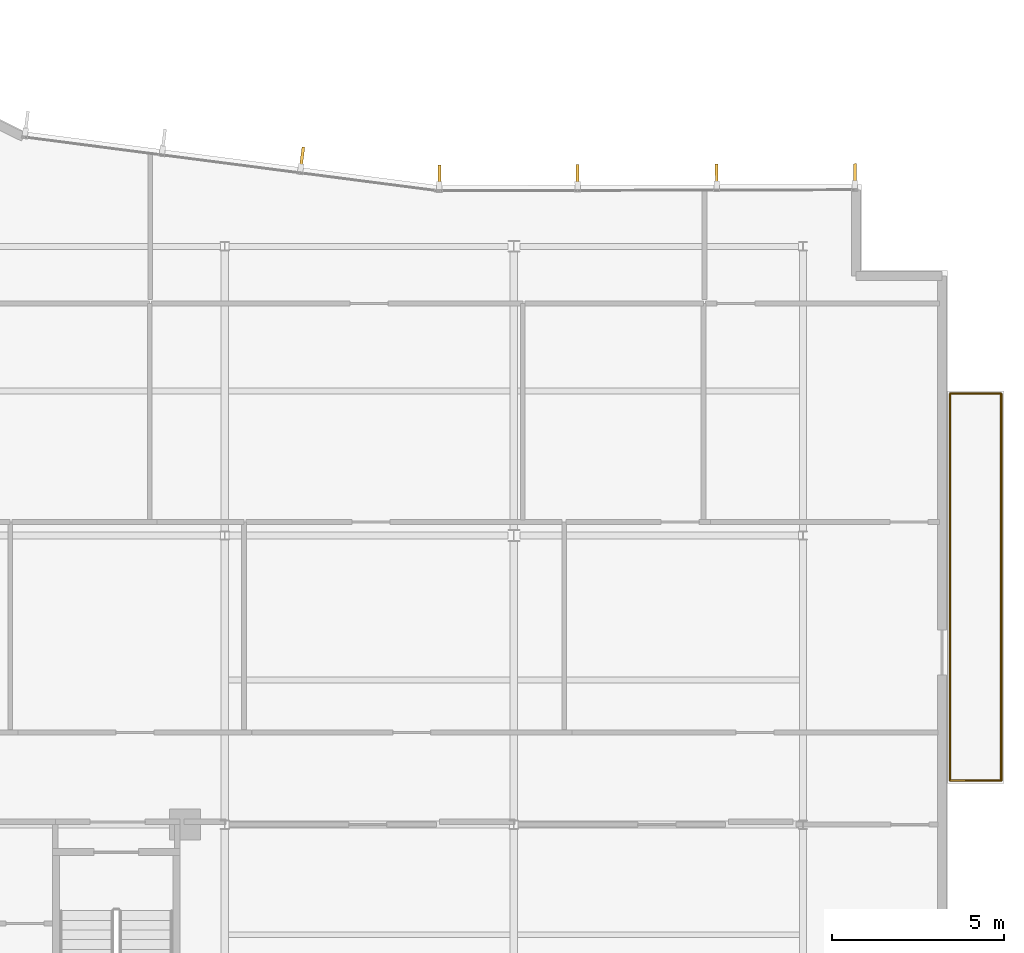
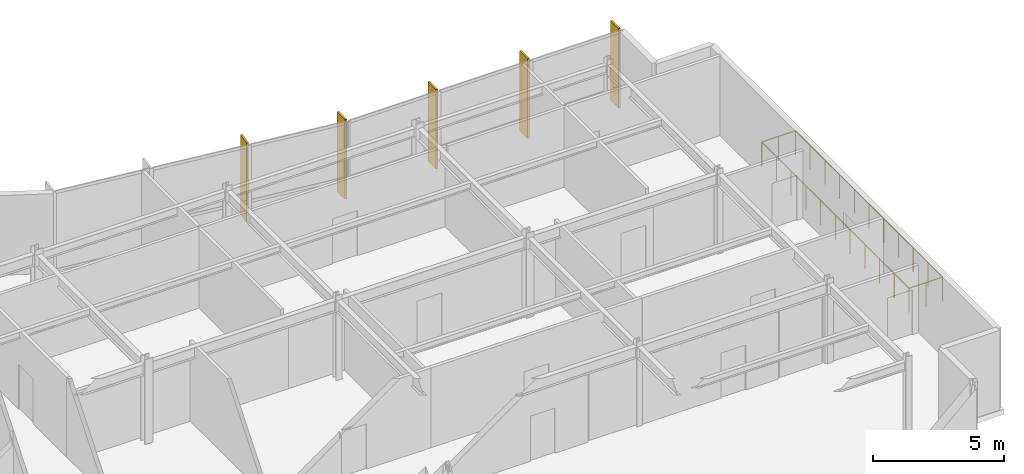
# One storey, part 14 of 15: 5 shading devices, 4 railings.
"""IFC4 building model written with IfcOpenShell, lengths in metres."""

from ifc_helpers import new_model, si_unit, direction, frame, origin, origin_2d, place, context, subcontext, project, spatial, rectangle, circle, extrude, material, layer, layer_set, type_object, element, save


model = new_model("IFC4")

# Units and contexts
model_context = context("Model", 3, precision=1e-05, world=origin(), true_north=direction((0.0, 1.0)))
body_context = subcontext(model_context, "Body", "Model", "MODEL_VIEW")
ifc_project = project(units=[si_unit("LENGTHUNIT", "METRE"), si_unit("AREAUNIT", "SQUARE_METRE"), si_unit("VOLUMEUNIT", "CUBIC_METRE"), si_unit("PLANEANGLEUNIT", "RADIAN"), si_unit("MASSUNIT", "GRAM", prefix="KILO")], contexts=[model_context])

# Site, building, storey
site_placement = place(None, origin())
site = spatial("IfcSite", under=ifc_project, at=site_placement, CompositionType="ELEMENT")
building_placement = place(site_placement, origin())
building = spatial("IfcBuilding", under=site, at=building_placement, Name="Varnakote Quay Hospital", CompositionType="ELEMENT")
storey_placement = place(building_placement, frame((0.0, 0.0, 244.699951171875)))
storey = spatial("IfcBuildingStorey", under=building, at=storey_placement, Name="L60", CompositionType="ELEMENT", Elevation=244.699951171875)

# Railings
ifc_material_1 = material(Name="Anodised aluminium 6063-T6 Bronze", Category="aluminium")
railing_type = type_object("IfcRailingType", Name="RLG-EXT-GUARD-1150", PredefinedType="GUARDRAIL", material=ifc_material_1)
railing_1_placement = place(storey_placement, frame((46.27587890625, 24.52001953125, 0.0)))
element("IfcRailing", 1, at=railing_1_placement, inside=storey, type_object=railing_type, Name="L60 Zigzag Prow Healing Terrace Safety Guard", PredefinedType="GUARDRAIL", context=body_context, shape_type="SweptSolid", body=[
    extrude(circle(Radius=0.02392578125, at=origin_2d()), frame((0.0, 0.0, 1.1259765625), z_axis=(1.0, 0.0, 0.0), x_axis=(0.0, 1.0, 0.0)), (0.0, 0.0, 1.0), 1.484130859375),
    extrude(circle(Radius=0.02099609375, at=origin_2d()), origin(), (0.0, 0.0, 1.0), 1.101806640625),
    extrude(circle(Radius=0.02099609375, at=origin_2d()), frame((0.7421875, 0.0, 0.0)), (0.0, 0.0, 1.0), 1.101806640625),
    extrude(circle(Radius=0.02099609375, at=origin_2d()), frame((1.484130859375, 0.0, 0.0)), (0.0, 0.0, 1.0), 1.101806640625),
])
railing_2_placement = place(storey_placement, frame((47.760009765625, 24.52001953125, 0.0)))
element("IfcRailing", 2, at=railing_2_placement, inside=storey, type_object=railing_type, Name="L60 Zigzag Prow Healing Terrace Safety Guard", PredefinedType="GUARDRAIL", context=body_context, shape_type="SweptSolid", body=[
    extrude(circle(Radius=0.02392578125, at=origin_2d()), frame((0.0, 0.0, 1.1259765625), z_axis=(0.0, -1.0, 0.0), x_axis=(1.0, 0.0, 0.0)), (0.0, 0.0, 1.0), 11.239990234375),
    extrude(circle(Radius=0.02099609375, at=origin_2d()), origin(), (0.0, 0.0, 1.0), 1.101806640625),
    extrude(circle(Radius=0.02099609375, at=origin_2d()), frame((0.0, -1.1240234375, 0.0)), (0.0, 0.0, 1.0), 1.101806640625),
    extrude(circle(Radius=0.02099609375, at=origin_2d()), frame((0.0, -2.248046875, 0.0)), (0.0, 0.0, 1.0), 1.101806640625),
    extrude(circle(Radius=0.02099609375, at=origin_2d()), frame((0.0, -3.3720703125, 0.0)), (0.0, 0.0, 1.0), 1.101806640625),
    extrude(circle(Radius=0.02099609375, at=origin_2d()), frame((0.0, -4.49609375, 0.0)), (0.0, 0.0, 1.0), 1.101806640625),
    extrude(circle(Radius=0.02099609375, at=origin_2d()), frame((0.0, -5.6201171875, 0.0)), (0.0, 0.0, 1.0), 1.101806640625),
    extrude(circle(Radius=0.02099609375, at=origin_2d()), frame((0.0, -6.743896484375, 0.0)), (0.0, 0.0, 1.0), 1.101806640625),
    extrude(circle(Radius=0.02099609375, at=origin_2d()), frame((0.0, -7.867919921875, 0.0)), (0.0, 0.0, 1.0), 1.101806640625),
    extrude(circle(Radius=0.02099609375, at=origin_2d()), frame((0.0, -8.991943359375, 0.0)), (0.0, 0.0, 1.0), 1.101806640625),
    extrude(circle(Radius=0.02099609375, at=origin_2d()), frame((0.0, -10.115966796875, 0.0)), (0.0, 0.0, 1.0), 1.101806640625),
    extrude(circle(Radius=0.02099609375, at=origin_2d()), frame((0.0, -11.239990234375, 0.0)), (0.0, 0.0, 1.0), 1.101806640625),
])
railing_3_placement = place(storey_placement, frame((47.760009765625, 13.280029296875, 0.0)))
element("IfcRailing", 3, at=railing_3_placement, inside=storey, type_object=railing_type, Name="L60 Zigzag Prow Healing Terrace Safety Guard", PredefinedType="GUARDRAIL", context=body_context, shape_type="SweptSolid", body=[
    extrude(circle(Radius=0.02392578125, at=origin_2d()), frame((0.0, 0.0, 1.1259765625), z_axis=(-1.0, 0.0, 0.0), x_axis=(0.0, -1.0, 0.0)), (0.0, 0.0, 1.0), 1.484130859375),
    extrude(circle(Radius=0.02099609375, at=origin_2d()), origin(), (0.0, 0.0, 1.0), 1.101806640625),
    extrude(circle(Radius=0.02099609375, at=origin_2d()), frame((-0.7421875, 0.0, 0.0)), (0.0, 0.0, 1.0), 1.101806640625),
    extrude(circle(Radius=0.02099609375, at=origin_2d()), frame((-1.484130859375, 0.0, 0.0)), (0.0, 0.0, 1.0), 1.101806640625),
])
railing_4_placement = place(storey_placement, frame((46.27587890625, 13.280029296875, 0.0)))
element("IfcRailing", 4, at=railing_4_placement, inside=storey, type_object=railing_type, Name="L60 Zigzag Prow Healing Terrace Safety Guard", PredefinedType="GUARDRAIL", context=body_context, shape_type="SweptSolid", body=[
    extrude(circle(Radius=0.02392578125, at=origin_2d()), frame((0.0, 0.0, 1.1259765625), z_axis=(0.0, 1.0, 0.0), x_axis=(-1.0, 0.0, 0.0)), (0.0, 0.0, 1.0), 11.239990234375),
    extrude(circle(Radius=0.02099609375, at=origin_2d()), origin(), (0.0, 0.0, 1.0), 1.101806640625),
    extrude(circle(Radius=0.02099609375, at=origin_2d()), frame((0.0, 1.1240234375, 0.0)), (0.0, 0.0, 1.0), 1.101806640625),
    extrude(circle(Radius=0.02099609375, at=origin_2d()), frame((0.0, 2.248046875, 0.0)), (0.0, 0.0, 1.0), 1.101806640625),
    extrude(circle(Radius=0.02099609375, at=origin_2d()), frame((0.0, 3.3720703125, 0.0)), (0.0, 0.0, 1.0), 1.101806640625),
    extrude(circle(Radius=0.02099609375, at=origin_2d()), frame((0.0, 4.49609375, 0.0)), (0.0, 0.0, 1.0), 1.101806640625),
    extrude(circle(Radius=0.02099609375, at=origin_2d()), frame((0.0, 5.6201171875, 0.0)), (0.0, 0.0, 1.0), 1.101806640625),
    extrude(circle(Radius=0.02099609375, at=origin_2d()), frame((0.0, 6.743896484375, 0.0)), (0.0, 0.0, 1.0), 1.101806640625),
    extrude(circle(Radius=0.02099609375, at=origin_2d()), frame((0.0, 7.867919921875, 0.0)), (0.0, 0.0, 1.0), 1.101806640625),
    extrude(circle(Radius=0.02099609375, at=origin_2d()), frame((0.0, 8.991943359375, 0.0)), (0.0, 0.0, 1.0), 1.101806640625),
    extrude(circle(Radius=0.02099609375, at=origin_2d()), frame((0.0, 10.115966796875, 0.0)), (0.0, 0.0, 1.0), 1.101806640625),
    extrude(circle(Radius=0.02099609375, at=origin_2d()), frame((0.0, 11.239990234375, 0.0)), (0.0, 0.0, 1.0), 1.101806640625),
])

# Shading devices
ifc_material_2 = material(Name="Anodised aluminium 6063-T6 Bronze", Category="aluminium")
ifc_layer = layer(ifc_material_2, 0.0849609375)
ifc_layer_set = layer_set([ifc_layer], Name="Anodised aluminium 6063-T6 Bronze")
shading_device_type = type_object("IfcShadingDeviceType", Name="SHD-BRONZE-FIN-620", PredefinedType="USERDEFINED", material=ifc_layer_set)
for number, where, z_axis, x_axis, name in (
    (5, (43.50634765625, 30.889404296875, 0.0), (0.0, 0.0, 1.0), (0.002617990887, -0.999996573056, 0.0), "L60 Anodised Bronze Vertical Shading FIN"),
    (6, (39.494140625, 30.879150390625, 0.0), (0.0, 0.0, 1.0), (0.002617990887, -0.999996573056, 0.0), "L60 Anodised Bronze Vertical Shading FIN"),
    (7, (35.449462890625, 30.868408203125, 0.0), (0.0, 0.0, 1.0), (0.002617990887, -0.999996573056, 0.0), "L60 Anodised Bronze Vertical Shading FIN"),
    (8, (31.437255859375, 30.858154296875, 0.0), (0.0, 0.0, 1.0), (0.002617990887, -0.999996573056, 0.0), "L60 Anodised Bronze Vertical Shading FIN"),
    (9, (27.447509765625, 31.3759765625, 0.0), (0.0, 0.0, 1.0), (-0.128795596578, -0.991671162383, 0.0), "L60 Anodised Bronze Vertical Shading FIN"),
):
    element("IfcShadingDevice", number, at=place(storey_placement, frame(where, z_axis=z_axis, x_axis=x_axis)), inside=storey, type_object=shading_device_type, Name=name, ObjectType="FIN", PredefinedType="USERDEFINED", context=body_context, shape_type="SweptSolid", body=[
        extrude(rectangle(XDim=0.6201171875, YDim=0.0849609375, at=origin_2d()), origin(), (0.0, 0.0, 1.0), 3.7099609375),
    ])

save(model, "model.ifc")
